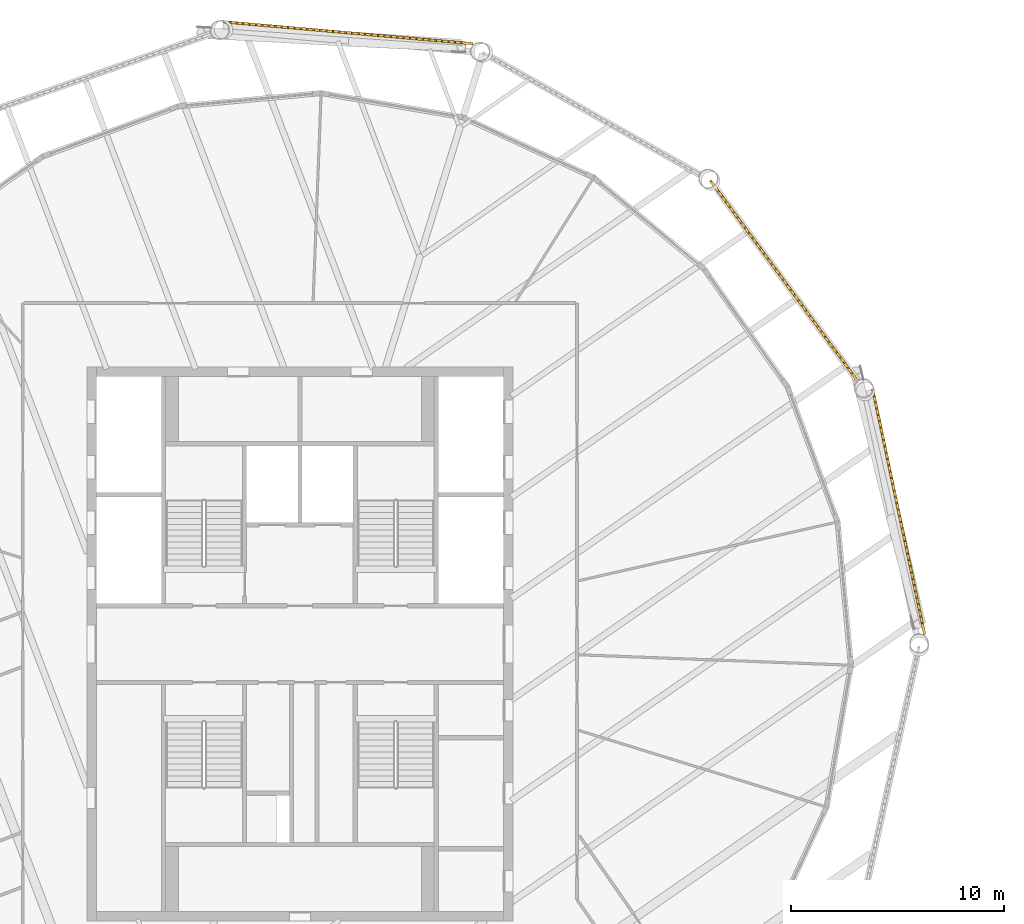
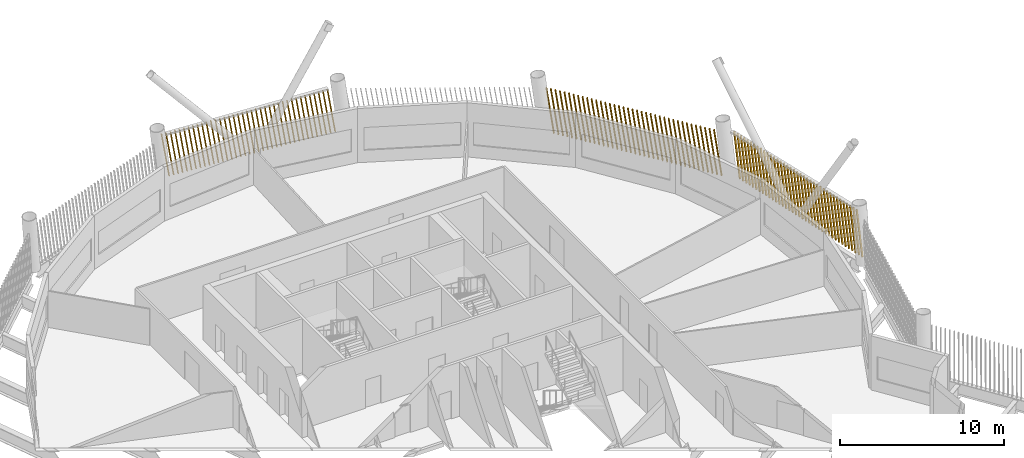
# One storey, part 32 of 33: 3 shading devices.
"""IFC4 building model written with IfcOpenShell, lengths in metres."""

from ifc_helpers import new_model, si_unit, direction, frame, frame_2d, origin, place, context, subcontext, project, spatial, rectangle, composite_profile, extrude, material, type_object, element, save


model = new_model("IFC4")

# Units and contexts
model_context = context("Model", 3, precision=1e-05, world=origin(), true_north=direction((0.0, 1.0)))
body_context = subcontext(model_context, "Body", "Model", "MODEL_VIEW")
ifc_project = project(units=[si_unit("LENGTHUNIT", "METRE"), si_unit("AREAUNIT", "SQUARE_METRE"), si_unit("VOLUMEUNIT", "CUBIC_METRE"), si_unit("PLANEANGLEUNIT", "RADIAN"), si_unit("MASSUNIT", "GRAM", prefix="KILO")], contexts=[model_context])

# Site, building, storey
site_placement = place(None, origin())
site = spatial("IfcSite", under=ifc_project, at=site_placement, CompositionType="ELEMENT")
building_placement = place(site_placement, origin())
building = spatial("IfcBuilding", under=site, at=building_placement, Name="Tarsis Ring Headquarters", CompositionType="ELEMENT")
storey_placement = place(building_placement, frame((0.0, 0.0, 369.199951171875)))
storey = spatial("IfcBuildingStorey", under=building, at=storey_placement, Name="L87", CompositionType="ELEMENT", Elevation=369.199951171875)

# Shading devices
ifc_material = material(Name="Terracotta baguette", Category="masonry")
shading_device_type = type_object("IfcShadingDeviceType", Name="Terracotta baguette screen", PredefinedType="USERDEFINED", material=ifc_material)
shading_device_1_placement = place(storey_placement, frame((29.311767578125, 0.451416015625, 0.0), z_axis=(0.0, 0.0, 1.0), x_axis=(-0.206962409931, 0.978340133692, 0.0)))
element("IfcShadingDevice", 1, at=shading_device_1_placement, inside=storey, type_object=shading_device_type, Name="Baguette screen L87-06", ObjectType="Terracotta baguette screen", PredefinedType="USERDEFINED", context=body_context, shape_type="SweptSolid", body=[
    extrude(composite_profile([rectangle(XDim=0.06005859375, YDim=0.1201171875, at=frame_2d((0.030029296875, 0.0))), rectangle(XDim=0.06005859375, YDim=0.1201171875, at=frame_2d((0.33251953125, 0.0))), rectangle(XDim=0.06005859375, YDim=0.1201171875, at=frame_2d((0.634765625, 0.0))), rectangle(XDim=0.06005859375, YDim=0.1201171875, at=frame_2d((0.937255859375, 0.0))), rectangle(XDim=0.06005859375, YDim=0.1201171875, at=frame_2d((1.239501953125, 0.0))), rectangle(XDim=0.06005859375, YDim=0.1201171875, at=frame_2d((1.5419921875, 0.0))), rectangle(XDim=0.06005859375, YDim=0.1201171875, at=frame_2d((1.844482421875, 0.0))), rectangle(XDim=0.06005859375, YDim=0.1201171875, at=frame_2d((2.146728515625, 0.0))), rectangle(XDim=0.06005859375, YDim=0.1201171875, at=frame_2d((2.44921875, 0.0))), rectangle(XDim=0.06005859375, YDim=0.1201171875, at=frame_2d((2.751708984375, 0.0))), rectangle(XDim=0.06005859375, YDim=0.1201171875, at=frame_2d((3.053955078125, 0.0))), rectangle(XDim=0.06005859375, YDim=0.1201171875, at=frame_2d((3.3564453125, 0.0))), rectangle(XDim=0.06005859375, YDim=0.1201171875, at=frame_2d((3.65869140625, 0.0))), rectangle(XDim=0.06005859375, YDim=0.1201171875, at=frame_2d((3.961181640625, 0.0))), rectangle(XDim=0.06005859375, YDim=0.1201171875, at=frame_2d((4.263671875, 0.0))), rectangle(XDim=0.06005859375, YDim=0.1201171875, at=frame_2d((4.56591796875, 0.0))), rectangle(XDim=0.06005859375, YDim=0.1201171875, at=frame_2d((4.868408203125, 0.0))), rectangle(XDim=0.06005859375, YDim=0.1201171875, at=frame_2d((5.1708984375, 0.0))), rectangle(XDim=0.06005859375, YDim=0.1201171875, at=frame_2d((5.47314453125, 0.0))), rectangle(XDim=0.06005859375, YDim=0.1201171875, at=frame_2d((5.775634765625, 0.0))), rectangle(XDim=0.06005859375, YDim=0.1201171875, at=frame_2d((6.077880859375, 0.0))), rectangle(XDim=0.06005859375, YDim=0.1201171875, at=frame_2d((6.38037109375, 0.0))), rectangle(XDim=0.06005859375, YDim=0.1201171875, at=frame_2d((6.682861328125, 0.0))), rectangle(XDim=0.06005859375, YDim=0.1201171875, at=frame_2d((6.985107421875, 0.0))), rectangle(XDim=0.06005859375, YDim=0.1201171875, at=frame_2d((7.28759765625, 0.0))), rectangle(XDim=0.06005859375, YDim=0.1201171875, at=frame_2d((7.590087890625, 0.0))), rectangle(XDim=0.06005859375, YDim=0.1201171875, at=frame_2d((7.892333984375, 0.0))), rectangle(XDim=0.06005859375, YDim=0.1201171875, at=frame_2d((8.19482421875, 0.0))), rectangle(XDim=0.06005859375, YDim=0.1201171875, at=frame_2d((8.4970703125, 0.0))), rectangle(XDim=0.06005859375, YDim=0.1201171875, at=frame_2d((8.799560546875, 0.0))), rectangle(XDim=0.06005859375, YDim=0.1201171875, at=frame_2d((9.10205078125, 0.0))), rectangle(XDim=0.06005859375, YDim=0.1201171875, at=frame_2d((9.404296875, 0.0))), rectangle(XDim=0.06005859375, YDim=0.1201171875, at=frame_2d((9.706787109375, 0.0))), rectangle(XDim=0.06005859375, YDim=0.1201171875, at=frame_2d((10.00927734375, 0.0))), rectangle(XDim=0.06005859375, YDim=0.1201171875, at=frame_2d((10.3115234375, 0.0))), rectangle(XDim=0.06005859375, YDim=0.1201171875, at=frame_2d((10.614013671875, 0.0))), rectangle(XDim=0.06005859375, YDim=0.1201171875, at=frame_2d((10.916259765625, 0.0))), rectangle(XDim=0.06005859375, YDim=0.1201171875, at=frame_2d((11.21875, 0.0)))]), origin(), (0.157200904976, 0.00142487, 0.987565615653), 3.32177734375),
])
shading_device_2_placement = place(storey_placement, frame((26.217529296875, 12.271484375, 0.0), z_axis=(0.0, 0.0, 1.0), x_axis=(-0.591839392295, 0.806055344547, 0.0)))
element("IfcShadingDevice", 2, at=shading_device_2_placement, inside=storey, type_object=shading_device_type, Name="Baguette screen L87-07", ObjectType="Terracotta baguette screen", PredefinedType="USERDEFINED", context=body_context, shape_type="SweptSolid", body=[
    extrude(composite_profile([rectangle(XDim=0.06005859375, YDim=0.1201171875, at=frame_2d((0.030029296875, 0.0))), rectangle(XDim=0.06005859375, YDim=0.1201171875, at=frame_2d((0.33251953125, 0.0))), rectangle(XDim=0.06005859375, YDim=0.1201171875, at=frame_2d((0.634765625, 0.0))), rectangle(XDim=0.06005859375, YDim=0.1201171875, at=frame_2d((0.937255859375, 0.0))), rectangle(XDim=0.06005859375, YDim=0.1201171875, at=frame_2d((1.239501953125, 0.0))), rectangle(XDim=0.06005859375, YDim=0.1201171875, at=frame_2d((1.5419921875, 0.0))), rectangle(XDim=0.06005859375, YDim=0.1201171875, at=frame_2d((1.844482421875, 0.0))), rectangle(XDim=0.06005859375, YDim=0.1201171875, at=frame_2d((2.146728515625, 0.0))), rectangle(XDim=0.06005859375, YDim=0.1201171875, at=frame_2d((2.44921875, 0.0))), rectangle(XDim=0.06005859375, YDim=0.1201171875, at=frame_2d((2.751708984375, 0.0))), rectangle(XDim=0.06005859375, YDim=0.1201171875, at=frame_2d((3.053955078125, 0.0))), rectangle(XDim=0.06005859375, YDim=0.1201171875, at=frame_2d((3.3564453125, 0.0))), rectangle(XDim=0.06005859375, YDim=0.1201171875, at=frame_2d((3.65869140625, 0.0))), rectangle(XDim=0.06005859375, YDim=0.1201171875, at=frame_2d((3.961181640625, 0.0))), rectangle(XDim=0.06005859375, YDim=0.1201171875, at=frame_2d((4.263671875, 0.0))), rectangle(XDim=0.06005859375, YDim=0.1201171875, at=frame_2d((4.56591796875, 0.0))), rectangle(XDim=0.06005859375, YDim=0.1201171875, at=frame_2d((4.868408203125, 0.0))), rectangle(XDim=0.06005859375, YDim=0.1201171875, at=frame_2d((5.1708984375, 0.0))), rectangle(XDim=0.06005859375, YDim=0.1201171875, at=frame_2d((5.47314453125, 0.0))), rectangle(XDim=0.06005859375, YDim=0.1201171875, at=frame_2d((5.775634765625, 0.0))), rectangle(XDim=0.06005859375, YDim=0.1201171875, at=frame_2d((6.077880859375, 0.0))), rectangle(XDim=0.06005859375, YDim=0.1201171875, at=frame_2d((6.38037109375, 0.0))), rectangle(XDim=0.06005859375, YDim=0.1201171875, at=frame_2d((6.682861328125, 0.0))), rectangle(XDim=0.06005859375, YDim=0.1201171875, at=frame_2d((6.985107421875, 0.0))), rectangle(XDim=0.06005859375, YDim=0.1201171875, at=frame_2d((7.28759765625, 0.0))), rectangle(XDim=0.06005859375, YDim=0.1201171875, at=frame_2d((7.590087890625, 0.0))), rectangle(XDim=0.06005859375, YDim=0.1201171875, at=frame_2d((7.892333984375, 0.0))), rectangle(XDim=0.06005859375, YDim=0.1201171875, at=frame_2d((8.19482421875, 0.0))), rectangle(XDim=0.06005859375, YDim=0.1201171875, at=frame_2d((8.4970703125, 0.0))), rectangle(XDim=0.06005859375, YDim=0.1201171875, at=frame_2d((8.799560546875, 0.0))), rectangle(XDim=0.06005859375, YDim=0.1201171875, at=frame_2d((9.10205078125, 0.0))), rectangle(XDim=0.06005859375, YDim=0.1201171875, at=frame_2d((9.404296875, 0.0))), rectangle(XDim=0.06005859375, YDim=0.1201171875, at=frame_2d((9.706787109375, 0.0))), rectangle(XDim=0.06005859375, YDim=0.1201171875, at=frame_2d((10.00927734375, 0.0))), rectangle(XDim=0.06005859375, YDim=0.1201171875, at=frame_2d((10.3115234375, 0.0))), rectangle(XDim=0.06005859375, YDim=0.1201171875, at=frame_2d((10.614013671875, 0.0))), rectangle(XDim=0.06005859375, YDim=0.1201171875, at=frame_2d((10.916259765625, 0.0))), rectangle(XDim=0.06005859375, YDim=0.1201171875, at=frame_2d((11.21875, 0.0)))]), origin(), (0.155202669806, 0.001404764774, 0.987881651779), 3.32080078125),
])
shading_device_3_placement = place(storey_placement, frame((8.124755859375, 28.166748046875, 0.0), z_axis=(0.0, 0.0, 1.0), x_axis=(-0.99615843733, 0.087661421595, 0.0)))
element("IfcShadingDevice", 3, at=shading_device_3_placement, inside=storey, type_object=shading_device_type, Name="Baguette screen L87-09", ObjectType="Terracotta baguette screen", PredefinedType="USERDEFINED", context=body_context, shape_type="SweptSolid", body=[
    extrude(composite_profile([rectangle(XDim=0.06005859375, YDim=0.1201171875, at=frame_2d((0.030029296875, 0.0))), rectangle(XDim=0.06005859375, YDim=0.1201171875, at=frame_2d((0.33251953125, 0.0))), rectangle(XDim=0.06005859375, YDim=0.1201171875, at=frame_2d((0.634765625, 0.0))), rectangle(XDim=0.06005859375, YDim=0.1201171875, at=frame_2d((0.937255859375, 0.0))), rectangle(XDim=0.06005859375, YDim=0.1201171875, at=frame_2d((1.239501953125, 0.0))), rectangle(XDim=0.06005859375, YDim=0.1201171875, at=frame_2d((1.5419921875, 0.0))), rectangle(XDim=0.06005859375, YDim=0.1201171875, at=frame_2d((1.844482421875, 0.0))), rectangle(XDim=0.06005859375, YDim=0.1201171875, at=frame_2d((2.146728515625, 0.0))), rectangle(XDim=0.06005859375, YDim=0.1201171875, at=frame_2d((2.44921875, 0.0))), rectangle(XDim=0.06005859375, YDim=0.1201171875, at=frame_2d((2.751708984375, 0.0))), rectangle(XDim=0.06005859375, YDim=0.1201171875, at=frame_2d((3.053955078125, 0.0))), rectangle(XDim=0.06005859375, YDim=0.1201171875, at=frame_2d((3.3564453125, 0.0))), rectangle(XDim=0.06005859375, YDim=0.1201171875, at=frame_2d((3.65869140625, 0.0))), rectangle(XDim=0.06005859375, YDim=0.1201171875, at=frame_2d((3.961181640625, 0.0))), rectangle(XDim=0.06005859375, YDim=0.1201171875, at=frame_2d((4.263671875, 0.0))), rectangle(XDim=0.06005859375, YDim=0.1201171875, at=frame_2d((4.56591796875, 0.0))), rectangle(XDim=0.06005859375, YDim=0.1201171875, at=frame_2d((4.868408203125, 0.0))), rectangle(XDim=0.06005859375, YDim=0.1201171875, at=frame_2d((5.1708984375, 0.0))), rectangle(XDim=0.06005859375, YDim=0.1201171875, at=frame_2d((5.47314453125, 0.0))), rectangle(XDim=0.06005859375, YDim=0.1201171875, at=frame_2d((5.775634765625, 0.0))), rectangle(XDim=0.06005859375, YDim=0.1201171875, at=frame_2d((6.077880859375, 0.0))), rectangle(XDim=0.06005859375, YDim=0.1201171875, at=frame_2d((6.38037109375, 0.0))), rectangle(XDim=0.06005859375, YDim=0.1201171875, at=frame_2d((6.682861328125, 0.0))), rectangle(XDim=0.06005859375, YDim=0.1201171875, at=frame_2d((6.985107421875, 0.0))), rectangle(XDim=0.06005859375, YDim=0.1201171875, at=frame_2d((7.28759765625, 0.0))), rectangle(XDim=0.06005859375, YDim=0.1201171875, at=frame_2d((7.590087890625, 0.0))), rectangle(XDim=0.06005859375, YDim=0.1201171875, at=frame_2d((7.892333984375, 0.0))), rectangle(XDim=0.06005859375, YDim=0.1201171875, at=frame_2d((8.19482421875, 0.0))), rectangle(XDim=0.06005859375, YDim=0.1201171875, at=frame_2d((8.4970703125, 0.0))), rectangle(XDim=0.06005859375, YDim=0.1201171875, at=frame_2d((8.799560546875, 0.0))), rectangle(XDim=0.06005859375, YDim=0.1201171875, at=frame_2d((9.10205078125, 0.0))), rectangle(XDim=0.06005859375, YDim=0.1201171875, at=frame_2d((9.404296875, 0.0))), rectangle(XDim=0.06005859375, YDim=0.1201171875, at=frame_2d((9.706787109375, 0.0))), rectangle(XDim=0.06005859375, YDim=0.1201171875, at=frame_2d((10.00927734375, 0.0))), rectangle(XDim=0.06005859375, YDim=0.1201171875, at=frame_2d((10.3115234375, 0.0))), rectangle(XDim=0.06005859375, YDim=0.1201171875, at=frame_2d((10.614013671875, 0.0))), rectangle(XDim=0.06005859375, YDim=0.1201171875, at=frame_2d((10.916259765625, 0.0))), rectangle(XDim=0.06005859375, YDim=0.1201171875, at=frame_2d((11.21875, 0.0)))]), origin(), (0.157203355593, 0.001427380602, 0.987565221935), 3.32177734375),
])

save(model, "model.ifc")
